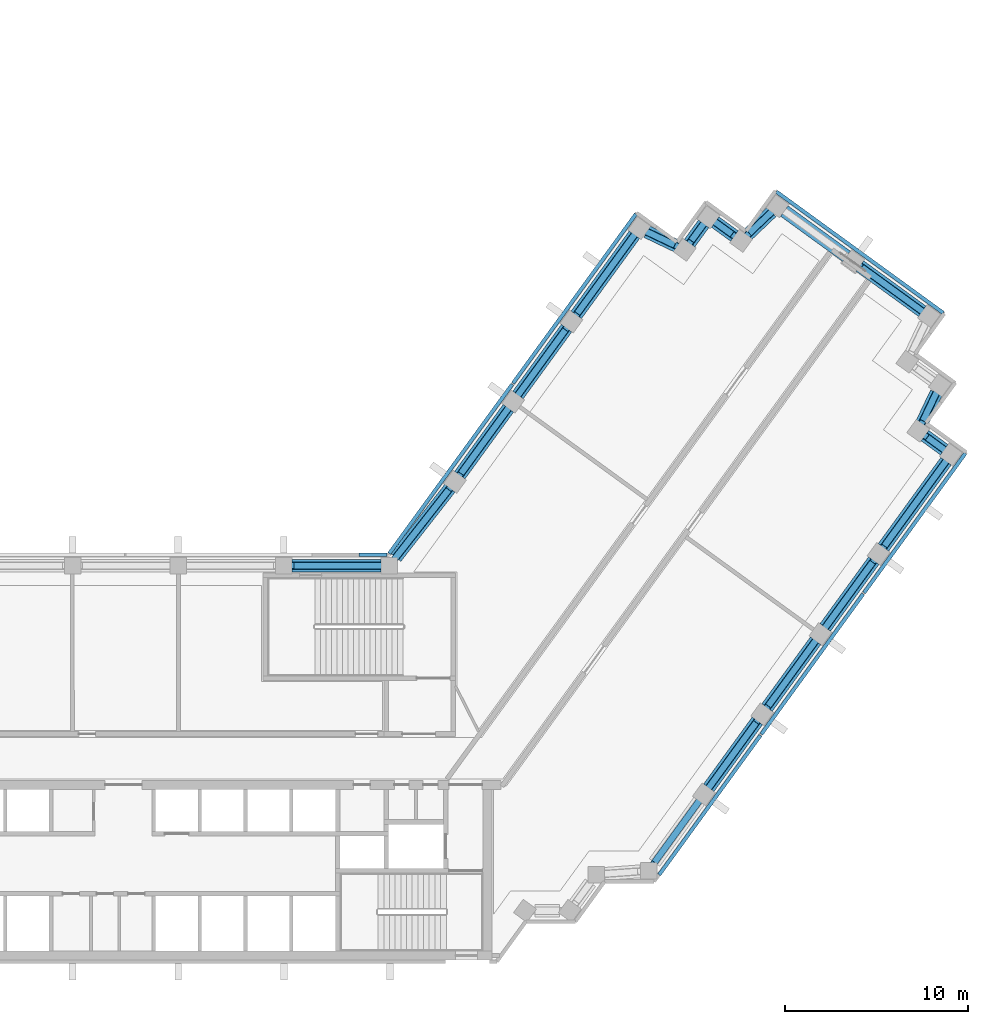
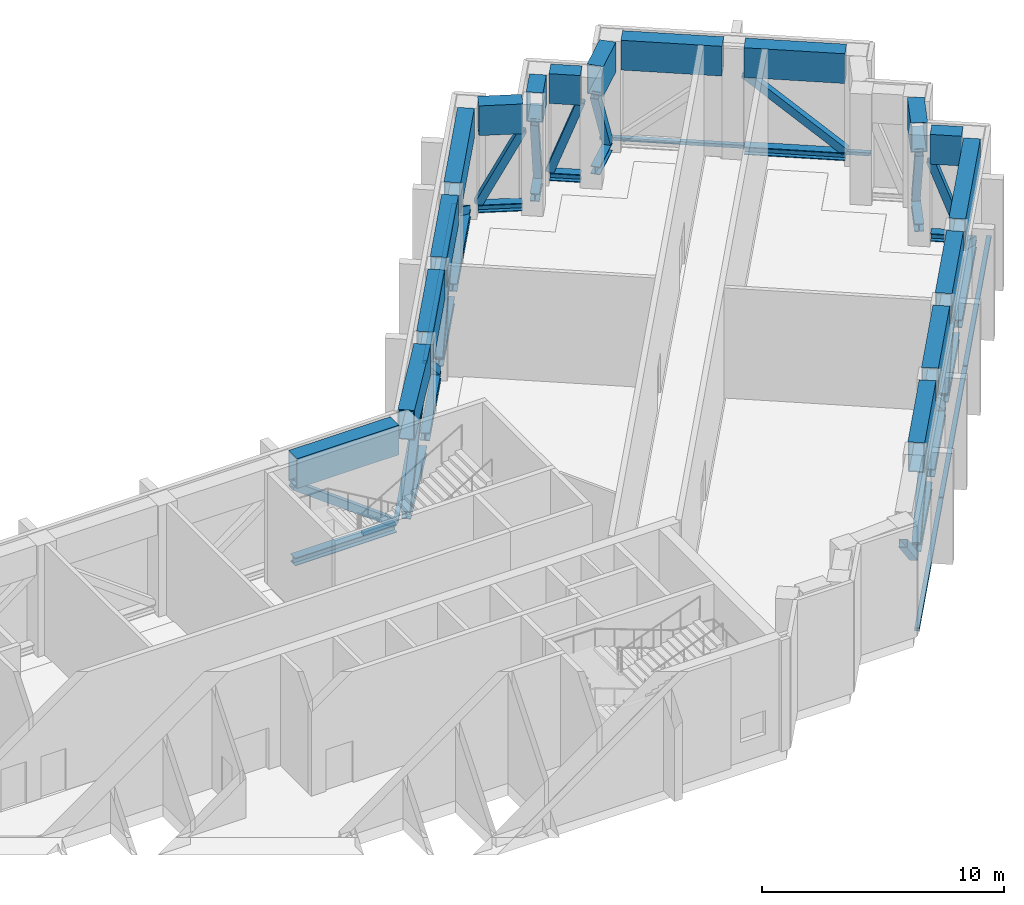
"""IFC4 building model written with IfcOpenShell, lengths in metres."""

from ifc_helpers import new_model, si_unit, direction, frame, origin, origin_2d, place, context, subcontext, project, spatial, rectangle, hollow_rectangle, i_section, extrude, material, material_profile, profile_set, type_object, element, aggregate, save


model = new_model("IFC4")

# Units and contexts
model_context = context("Model", 3, precision=1e-05, world=origin(), true_north=direction((0.0, 1.0)))
body_context = subcontext(model_context, "Body", "Model", "MODEL_VIEW")
ifc_project = project(units=[si_unit("LENGTHUNIT", "METRE"), si_unit("AREAUNIT", "SQUARE_METRE"), si_unit("VOLUMEUNIT", "CUBIC_METRE"), si_unit("PLANEANGLEUNIT", "RADIAN"), si_unit("MASSUNIT", "GRAM", prefix="KILO")], contexts=[model_context])

# Site, building, storey
site_placement = place(None, origin())
site = spatial("IfcSite", under=ifc_project, at=site_placement, CompositionType="ELEMENT")
building_placement = place(site_placement, origin())
building = spatial("IfcBuilding", under=site, at=building_placement, Name="Quipu Civic Tower", CompositionType="ELEMENT")
storey_1_placement = place(building_placement, frame((0.0, 0.0, 133.0)))
storey_1 = spatial("IfcBuildingStorey", under=building, at=storey_1_placement, Name="L31", CompositionType="ELEMENT", Elevation=133.0)

# Beams
ifc_material_1 = material(Name="Steel ASTM A992 Grade 50 (fy 345 MPa)", Category="steel")
ifc_material_profile_1 = material_profile(ifc_material_1, i_section(OverallWidth=0.39892578125, OverallDepth=0.393310546875, WebThickness=0.022705078125, FlangeThickness=0.03662109375, at=origin_2d()), Name="W360x287")
ifc_profile_set_1 = profile_set([ifc_material_profile_1], Name="Steel ASTM A992 Grade 50 (fy 345 MPa)")
beam_type_1 = type_object("IfcBeamType", Name="Belt truss bottom chord W360x287", PredefinedType="BEAM", material=ifc_profile_set_1)
beam_1_placement = place(storey_1_placement, frame((31.812744140625, -1.604736328125, 0.296630859375), z_axis=(0.587778073121, 0.809022210299, 0.0), x_axis=(-0.809022210299, 0.587778073121, 0.0)))
element("IfcBeam", 1, at=beam_1_placement, inside=storey_1, type_object=beam_type_1, Name="Truss bottom chord L31 E-OUT-01 to E-OUT-02", PredefinedType="BEAM", context=body_context, shape_type="SweptSolid", body=[
    extrude(i_section(OverallWidth=0.39892578125, OverallDepth=0.393310546875, WebThickness=0.022705078125, FlangeThickness=0.03662109375, at=origin_2d()), origin(), (0.0, 0.0, 1.0), 4.5),
])
beam_2_placement = place(storey_1_placement, frame((34.98681640625, 2.76416015625, 0.296630859375), z_axis=(0.587803872688, 0.809003465539, 0.0), x_axis=(-0.809003465539, 0.587803872688, 0.0)))
element("IfcBeam", 2, at=beam_2_placement, inside=storey_1, type_object=beam_type_1, Name="Truss bottom chord L31 E-OUT-02 to E-OUT-03", PredefinedType="BEAM", context=body_context, shape_type="SweptSolid", body=[
    extrude(i_section(OverallWidth=0.39892578125, OverallDepth=0.393310546875, WebThickness=0.022705078125, FlangeThickness=0.03662109375, at=origin_2d()), origin(), (0.0, 0.0, 1.0), 4.499755859375),
])
beam_3_placement = place(storey_1_placement, frame((38.160888671875, 7.1328125, 0.296630859375), z_axis=(0.587778073121, 0.809022210299, 0.0), x_axis=(-0.809022210299, 0.587778073121, 0.0)))
element("IfcBeam", 3, at=beam_3_placement, inside=storey_1, type_object=beam_type_1, Name="Truss bottom chord L31 E-OUT-03 to E-OUT-04", PredefinedType="BEAM", context=body_context, shape_type="SweptSolid", body=[
    extrude(i_section(OverallWidth=0.39892578125, OverallDepth=0.393310546875, WebThickness=0.022705078125, FlangeThickness=0.03662109375, at=origin_2d()), origin(), (0.0, 0.0, 1.0), 4.5),
])
beam_4_placement = place(storey_1_placement, frame((41.3349609375, 11.50146484375, 0.296630859375), z_axis=(0.587766353983, 0.809030724463, 0.0), x_axis=(-0.809030724463, 0.587766353983, 0.0)))
element("IfcBeam", 4, at=beam_4_placement, inside=storey_1, type_object=beam_type_1, Name="Truss bottom chord L31 E-OUT-04 to T-Eo.0-E34", PredefinedType="BEAM", context=body_context, shape_type="SweptSolid", body=[
    extrude(i_section(OverallWidth=0.39892578125, OverallDepth=0.393310546875, WebThickness=0.022705078125, FlangeThickness=0.03662109375, at=origin_2d()), origin(), (0.0, 0.0, 1.0), 5.802734375),
])
beam_5_placement = place(storey_1_placement, frame((44.646240234375, 16.82470703125, 0.296630859375), z_axis=(-0.808524921146, 0.588461937499, 0.0), x_axis=(-0.588461937499, -0.808524921146, 0.0)))
element("IfcBeam", 5, at=beam_5_placement, inside=storey_1, type_object=beam_type_1, Name="Truss bottom chord L31 T-Eo.0-E34 to T-Eo.1-E34", PredefinedType="BEAM", context=body_context, shape_type="SweptSolid", body=[
    extrude(i_section(OverallWidth=0.39892578125, OverallDepth=0.393310546875, WebThickness=0.022705078125, FlangeThickness=0.03662109375, at=origin_2d()), origin(), (0.0, 0.0, 1.0), 1.30029296875),
])
beam_6_placement = place(storey_1_placement, frame((43.42822265625, 18.267578125, 0.296630859375), z_axis=(0.430677818234, 0.902505743406, 0.0), x_axis=(-0.902505743406, 0.430677818234, 0.0)))
element("IfcBeam", 6, at=beam_6_placement, inside=storey_1, type_object=beam_type_1, Name="Truss bottom chord L31 T-Eo.1-E34 to T-Eo.2-E34", PredefinedType="BEAM", context=body_context, shape_type="SweptSolid", body=[
    extrude(i_section(OverallWidth=0.39892578125, OverallDepth=0.393310546875, WebThickness=0.022705078125, FlangeThickness=0.03662109375, at=origin_2d()), origin(), (0.0, 0.0, 1.0), 1.833251953125),
])
beam_7_placement = place(storey_1_placement, frame((43.450927734375, 24.36962890625, 0.296630859375), z_axis=(-0.808987489375, 0.587825860298, 0.0), x_axis=(-0.587825860298, -0.808987489375, 0.0)))
element("IfcBeam", 7, at=beam_7_placement, inside=storey_1, type_object=beam_type_1, Name="Truss bottom chord L31 T-Eo.4-E34 to TIP-E-01-E34", PredefinedType="BEAM", context=body_context, shape_type="SweptSolid", body=[
    extrude(i_section(OverallWidth=0.39892578125, OverallDepth=0.393310546875, WebThickness=0.022705078125, FlangeThickness=0.03662109375, at=origin_2d()), origin(), (0.0, 0.0, 1.0), 4.1982421875),
])
beam_8_placement = place(storey_1_placement, frame((35.233154296875, 29.784912109375, 0.296630859375), z_axis=(-0.725209203815, -0.688528583795, 0.0), x_axis=(0.688528583795, -0.725209203815, 0.0)))
element("IfcBeam", 8, at=beam_8_placement, inside=storey_1, type_object=beam_type_1, Name="Truss bottom chord L31 T-Ei.0-E34 to T-Ei.1-E34", PredefinedType="BEAM", context=body_context, shape_type="SweptSolid", body=[
    extrude(i_section(OverallWidth=0.39892578125, OverallDepth=0.393310546875, WebThickness=0.022705078125, FlangeThickness=0.03662109375, at=origin_2d()), origin(), (0.0, 0.0, 1.0), 1.830322265625),
])
beam_9_placement = place(storey_1_placement, frame((33.209716796875, 28.4736328125, 0.296630859375), z_axis=(-0.809402563526, 0.587254195521, 0.0), x_axis=(-0.587254195521, -0.809402563526, 0.0)))
element("IfcBeam", 9, at=beam_9_placement, inside=storey_1, type_object=beam_type_1, Name="Truss bottom chord L31 T-Ei.1-E34 to T-Ei.2-E34", PredefinedType="BEAM", context=body_context, shape_type="SweptSolid", body=[
    extrude(i_section(OverallWidth=0.39892578125, OverallDepth=0.393310546875, WebThickness=0.022705078125, FlangeThickness=0.03662109375, at=origin_2d()), origin(), (0.0, 0.0, 1.0), 1.2978515625),
])
beam_10_placement = place(storey_1_placement, frame((31.52978515625, 29.136474609375, 0.296630859375), z_axis=(-0.589187485143, -0.80799635355, 0.0), x_axis=(0.80799635355, -0.589187485143, 0.0)))
element("IfcBeam", 10, at=beam_10_placement, inside=storey_1, type_object=beam_type_1, Name="Truss bottom chord L31 T-Ei.2-E34 to T-Ei.3-E34", PredefinedType="BEAM", context=body_context, shape_type="SweptSolid", body=[
    extrude(i_section(OverallWidth=0.39892578125, OverallDepth=0.393310546875, WebThickness=0.022705078125, FlangeThickness=0.03662109375, at=origin_2d()), origin(), (0.0, 0.0, 1.0), 1.2998046875),
])
beam_11_placement = place(storey_1_placement, frame((30.085693359375, 27.919677734375, 0.296630859375), z_axis=(-0.902567013751, 0.430549399823, 0.0), x_axis=(-0.430549399823, -0.902567013751, 0.0)))
element("IfcBeam", 11, at=beam_11_placement, inside=storey_1, type_object=beam_type_1, Name="Truss bottom chord L31 T-Ei.3-E34 to T-Ei.4-E34", PredefinedType="BEAM", context=body_context, shape_type="SweptSolid", body=[
    extrude(i_section(OverallWidth=0.39892578125, OverallDepth=0.393310546875, WebThickness=0.022705078125, FlangeThickness=0.03662109375, at=origin_2d()), origin(), (0.0, 0.0, 1.0), 1.8310546875),
])
beam_12_placement = place(storey_1_placement, frame((27.755615234375, 28.541015625, 0.296630859375), z_axis=(-0.58767640123, -0.809096068114, 0.0), x_axis=(0.809096068114, -0.58767640123, 0.0)))
element("IfcBeam", 12, at=beam_12_placement, inside=storey_1, type_object=beam_type_1, Name="Truss bottom chord L31 T-Ei.4-E34 to E-IN-03", PredefinedType="BEAM", context=body_context, shape_type="SweptSolid", body=[
    extrude(i_section(OverallWidth=0.39892578125, OverallDepth=0.393310546875, WebThickness=0.022705078125, FlangeThickness=0.03662109375, at=origin_2d()), origin(), (0.0, 0.0, 1.0), 5.39404296875),
])
for number, where, z_axis, x_axis, name in (
    (13, (24.056884765625, 23.448486328125, 0.296630859375), (-0.587778073121, -0.809022210299, 0.0), (0.809022210299, -0.587778073121, 0.0), "Truss bottom chord L31 E-IN-03 to E-IN-02"),
    (14, (20.8828125, 19.079833984375, 0.296630859375), (-0.587716763865, -0.809066749701, 0.0), (0.809066749701, -0.587716763865, 0.0), "Truss bottom chord L31 E-IN-02 to E-IN-01"),
):
    element("IfcBeam", number, at=place(storey_1_placement, frame(where, z_axis=z_axis, x_axis=x_axis)), inside=storey_1, type_object=beam_type_1, Name=name, PredefinedType="BEAM", context=body_context, shape_type="SweptSolid", body=[
        extrude(i_section(OverallWidth=0.39892578125, OverallDepth=0.393310546875, WebThickness=0.022705078125, FlangeThickness=0.03662109375, at=origin_2d()), origin(), (0.0, 0.0, 1.0), 4.5),
    ])
beam_13_placement = place(storey_1_placement, frame((17.6962890625, 14.72021484375, 0.296630859375), z_axis=(-0.616123961998, -0.787649200756, 0.0), x_axis=(0.787649200756, -0.616123961998, 0.0)))
element("IfcBeam", 15, at=beam_13_placement, inside=storey_1, type_object=beam_type_1, Name="Truss bottom chord L31 E-IN-01 to J-Ei.0", PredefinedType="BEAM", context=body_context, shape_type="SweptSolid", body=[
    extrude(i_section(OverallWidth=0.39892578125, OverallDepth=0.393310546875, WebThickness=0.022705078125, FlangeThickness=0.03662109375, at=origin_2d()), origin(), (0.0, 0.0, 1.0), 4.78662109375),
])
beam_14_placement = place(storey_1_placement, frame((13.9453125, 10.5, 0.296630859375), z_axis=(-1.0, 0.0, 0.0), x_axis=(0.0, -1.0, 0.0)))
element("IfcBeam", 16, at=beam_14_placement, inside=storey_1, type_object=beam_type_1, Name="Truss bottom chord L31 J-Ei.0 to FRONT-01", PredefinedType="BEAM", context=body_context, shape_type="SweptSolid", body=[
    extrude(i_section(OverallWidth=0.39892578125, OverallDepth=0.393310546875, WebThickness=0.022705078125, FlangeThickness=0.03662109375, at=origin_2d()), origin(), (0.0, 0.0, 1.0), 4.858154296875),
])

# Members
ifc_material_2 = material(Name="Steel ASTM A500 Grade C (fy 345 MPa)", Category="steel")
ifc_material_profile_2 = material_profile(ifc_material_2, hollow_rectangle(XDim=0.355712890625, YDim=0.355712890625, WallThickness=0.015869140625, at=origin_2d()), Name="HSS356x356x16")
ifc_profile_set_2 = profile_set([ifc_material_profile_2], Name="Steel ASTM A500 Grade C (fy 345 MPa)")
member_type_1 = type_object("IfcMemberType", Name="Belt truss diagonal HSS356x356x16", PredefinedType="BRACE", material=ifc_profile_set_2)
member_1_placement = place(storey_1_placement, frame((28.78955078125, -5.765869140625, 4.10009765625), z_axis=(0.447838676212, 0.616435734621, -0.647647670551), x_axis=(-0.809034531764, 0.58776111339, 0.0)))
element("IfcMember", 17, at=member_1_placement, inside=storey_1, type_object=member_type_1, Name="Truss diagonal L31 J-Eo.4 to E-OUT-01", PredefinedType="BRACE", context=body_context, shape_type="SweptSolid", body=[
    extrude(hollow_rectangle(XDim=0.355712890625, YDim=0.355712890625, WallThickness=0.015869140625, at=origin_2d()), origin(), (0.0, 0.0, 1.0), 5.5693359375),
])
for number, where, z_axis, x_axis, name in (
    (18, (31.812744140625, -1.604736328125, 0.4931640625), (0.458633884018, 0.631267166188, 0.625425235599), (-0.809022210299, 0.587778073121, 0.0), "Truss diagonal L31 E-OUT-01 to E-OUT-02"),
    (19, (34.98681640625, 2.76416015625, 4.10009765625), (0.458646140321, 0.631241701895, -0.625441949151), (-0.809003465539, 0.587803872688, 0.0), "Truss diagonal L31 E-OUT-02 to E-OUT-03"),
    (20, (38.160888671875, 7.1328125, 0.4931640625), (0.458633884018, 0.631267166188, 0.625425235599), (-0.809022210299, 0.587778073121, 0.0), "Truss diagonal L31 E-OUT-03 to E-OUT-04"),
):
    element("IfcMember", number, at=place(storey_1_placement, frame(where, z_axis=z_axis, x_axis=x_axis)), inside=storey_1, type_object=member_type_1, Name=name, PredefinedType="BRACE", context=body_context, shape_type="SweptSolid", body=[
        extrude(hollow_rectangle(XDim=0.355712890625, YDim=0.355712890625, WallThickness=0.015869140625, at=origin_2d()), origin(), (0.0, 0.0, 1.0), 5.76708984375),
    ])
member_2_placement = place(storey_1_placement, frame((41.3349609375, 11.50146484375, 4.10009765625), z_axis=(0.499187650513, 0.687106609286, -0.52791684672), x_axis=(-0.809030724463, 0.587766353983, 0.0)))
element("IfcMember", 21, at=member_2_placement, inside=storey_1, type_object=member_type_1, Name="Truss diagonal L31 E-OUT-04 to T-Eo.0-E34", PredefinedType="BRACE", context=body_context, shape_type="SweptSolid", body=[
    extrude(hollow_rectangle(XDim=0.355712890625, YDim=0.355712890625, WallThickness=0.015869140625, at=origin_2d()), origin(), (0.0, 0.0, 1.0), 6.832275390625),
])
member_3_placement = place(storey_1_placement, frame((44.646240234375, 16.82470703125, 0.4931640625), z_axis=(-0.274187065853, 0.199559281092, 0.940743081957), x_axis=(-0.588461937499, -0.808524921146, 0.0)))
element("IfcMember", 22, at=member_3_placement, inside=storey_1, type_object=member_type_1, Name="Truss diagonal L31 T-Eo.0-E34 to T-Eo.1-E34", PredefinedType="BRACE", context=body_context, shape_type="SweptSolid", body=[
    extrude(hollow_rectangle(XDim=0.355712890625, YDim=0.355712890625, WallThickness=0.015869140625, at=origin_2d()), origin(), (0.0, 0.0, 1.0), 3.834228515625),
])
member_4_placement = place(storey_1_placement, frame((43.4248046875, 18.2607421875, 4.10009765625), z_axis=(0.196491189771, 0.41159543216, -0.889932813513), x_axis=(-0.902440195661, 0.430815149751, 0.0)))
element("IfcMember", 23, at=member_4_placement, inside=storey_1, type_object=member_type_1, Name="Truss diagonal L31 T-Eo.1-E34 to T-Eo.2-E34", PredefinedType="BRACE", context=body_context, shape_type="SweptSolid", body=[
    extrude(hollow_rectangle(XDim=0.355712890625, YDim=0.355712890625, WallThickness=0.015869140625, at=origin_2d()), origin(), (0.0, 0.0, 1.0), 4.052978515625),
])
member_5_placement = place(storey_1_placement, frame((43.450927734375, 24.36962890625, 0.4931640625), z_axis=(-0.613612581955, 0.445862697031, 0.651679410955), x_axis=(-0.587825860298, -0.808987489375, 0.0)))
element("IfcMember", 24, at=member_5_placement, inside=storey_1, type_object=member_type_1, Name="Truss diagonal L31 T-Eo.4-E34 to TIP-E-01-E34", PredefinedType="BRACE", context=body_context, shape_type="SweptSolid", body=[
    extrude(hollow_rectangle(XDim=0.355712890625, YDim=0.355712890625, WallThickness=0.015869140625, at=origin_2d()), origin(), (0.0, 0.0, 1.0), 5.534912109375),
])
member_6_placement = place(storey_1_placement, frame((35.23876953125, 29.7900390625, 0.4931640625), z_axis=(-0.330327629886, -0.31363650375, 0.890233565111), x_axis=(0.688547790633, -0.725190967963, 0.0)))
element("IfcMember", 25, at=member_6_placement, inside=storey_1, type_object=member_type_1, Name="Truss diagonal L31 T-Ei.0-E34 to T-Ei.1-E34", PredefinedType="BRACE", context=body_context, shape_type="SweptSolid", body=[
    extrude(hollow_rectangle(XDim=0.355712890625, YDim=0.355712890625, WallThickness=0.015869140625, at=origin_2d()), origin(), (0.0, 0.0, 1.0), 4.0517578125),
])
member_7_placement = place(storey_1_placement, frame((33.209716796875, 28.4736328125, 4.10009765625), z_axis=(-0.274052102613, 0.19883585042, -0.940935571461), x_axis=(-0.587254195521, -0.809402563526, 0.0)))
element("IfcMember", 26, at=member_7_placement, inside=storey_1, type_object=member_type_1, Name="Truss diagonal L31 T-Ei.1-E34 to T-Ei.2-E34", PredefinedType="BRACE", context=body_context, shape_type="SweptSolid", body=[
    extrude(hollow_rectangle(XDim=0.355712890625, YDim=0.355712890625, WallThickness=0.015869140625, at=origin_2d()), origin(), (0.0, 0.0, 1.0), 3.833251953125),
])
member_8_placement = place(storey_1_placement, frame((31.52978515625, 29.136474609375, 0.4931640625), z_axis=(-0.199756633087, -0.273941037788, 0.940772871289), x_axis=(0.80799635355, -0.589187485143, 0.0)))
element("IfcMember", 27, at=member_8_placement, inside=storey_1, type_object=member_type_1, Name="Truss diagonal L31 T-Ei.2-E34 to T-Ei.3-E34", PredefinedType="BRACE", context=body_context, shape_type="SweptSolid", body=[
    extrude(hollow_rectangle(XDim=0.355712890625, YDim=0.355712890625, WallThickness=0.015869140625, at=origin_2d()), origin(), (0.0, 0.0, 1.0), 3.833984375),
])
member_9_placement = place(storey_1_placement, frame((30.092529296875, 27.91650390625, 4.10009765625), z_axis=(-0.411229108641, 0.196124651813, -0.89018298184), x_axis=(-0.430472524882, -0.902603681203, 0.0)))
element("IfcMember", 28, at=member_9_placement, inside=storey_1, type_object=member_type_1, Name="Truss diagonal L31 T-Ei.3-E34 to T-Ei.4-E34", PredefinedType="BRACE", context=body_context, shape_type="SweptSolid", body=[
    extrude(hollow_rectangle(XDim=0.355712890625, YDim=0.355712890625, WallThickness=0.015869140625, at=origin_2d()), origin(), (0.0, 0.0, 1.0), 4.052001953125),
])
member_10_placement = place(storey_1_placement, frame((27.755615234375, 28.541015625, 0.4931640625), z_axis=(-0.488518595141, -0.672578435516, 0.555866737879), x_axis=(0.809096068114, -0.58767640123, 0.0)))
element("IfcMember", 29, at=member_10_placement, inside=storey_1, type_object=member_type_1, Name="Truss diagonal L31 T-Ei.4-E34 to E-IN-03", PredefinedType="BRACE", context=body_context, shape_type="SweptSolid", body=[
    extrude(hollow_rectangle(XDim=0.355712890625, YDim=0.355712890625, WallThickness=0.015869140625, at=origin_2d()), origin(), (0.0, 0.0, 1.0), 6.48876953125),
])
member_11_placement = place(storey_1_placement, frame((24.056884765625, 23.448486328125, 4.10009765625), z_axis=(-0.458633884018, -0.631267166188, -0.625425235599), x_axis=(0.809022210299, -0.587778073121, 0.0)))
element("IfcMember", 30, at=member_11_placement, inside=storey_1, type_object=member_type_1, Name="Truss diagonal L31 E-IN-03 to E-IN-02", PredefinedType="BRACE", context=body_context, shape_type="SweptSolid", body=[
    extrude(hollow_rectangle(XDim=0.355712890625, YDim=0.355712890625, WallThickness=0.015869140625, at=origin_2d()), origin(), (0.0, 0.0, 1.0), 5.76708984375),
])
member_12_placement = place(storey_1_placement, frame((20.8828125, 19.079833984375, 0.4931640625), z_axis=(-0.45858819899, -0.631304884292, 0.625420663886), x_axis=(0.809066749701, -0.587716763865, 0.0)))
element("IfcMember", 31, at=member_12_placement, inside=storey_1, type_object=member_type_1, Name="Truss diagonal L31 E-IN-02 to E-IN-01", PredefinedType="BRACE", context=body_context, shape_type="SweptSolid", body=[
    extrude(hollow_rectangle(XDim=0.355712890625, YDim=0.355712890625, WallThickness=0.015869140625, at=origin_2d()), origin(), (0.0, 0.0, 1.0), 5.767333984375),
])
member_13_placement = place(storey_1_placement, frame((17.6962890625, 14.720458984375, 4.10009765625), z_axis=(-0.496461259627, -0.634705639124, -0.592178156768), x_axis=(0.787664522221, -0.616104374627, 0.0)))
element("IfcMember", 32, at=member_13_placement, inside=storey_1, type_object=member_type_1, Name="Truss diagonal L31 E-IN-01 to J-Ei.0", PredefinedType="BRACE", context=body_context, shape_type="SweptSolid", body=[
    extrude(hollow_rectangle(XDim=0.355712890625, YDim=0.355712890625, WallThickness=0.015869140625, at=origin_2d()), origin(), (0.0, 0.0, 1.0), 6.091064453125),
])
member_14_placement = place(storey_1_placement, frame((13.9453125, 10.5, 0.4931640625), z_axis=(-0.802900545877, 0.0, 0.596113003909), x_axis=(0.0, -1.0, 0.0)))
element("IfcMember", 33, at=member_14_placement, inside=storey_1, type_object=member_type_1, Name="Truss diagonal L31 J-Ei.0 to FRONT-01", PredefinedType="BRACE", context=body_context, shape_type="SweptSolid", body=[
    extrude(hollow_rectangle(XDim=0.355712890625, YDim=0.355712890625, WallThickness=0.015869140625, at=origin_2d()), origin(), (0.0, 0.0, 1.0), 6.05078125),
])

# Beams
ifc_material_3 = material(Name="Steel ASTM A572 Grade 50 (fy 345 MPa)", Category="steel")
ifc_material_profile_3 = material_profile(ifc_material_3, hollow_rectangle(XDim=0.699951171875, YDim=1.5, WallThickness=0.050048828125, at=origin_2d()), Name="BX1500x700x50")
ifc_profile_set_3 = profile_set([ifc_material_profile_3], Name="Steel ASTM A572 Grade 50 (fy 345 MPa)")
beam_type_2 = type_object("IfcBeamType", Name="Belt truss top chord BX1500x700x50", PredefinedType="BEAM", material=ifc_profile_set_3)
beam_15_placement = place(storey_1_placement, frame((31.812744140625, -1.604736328125, 4.85009765625), z_axis=(0.587778073121, 0.809022210299, 0.0), x_axis=(-0.809022210299, 0.587778073121, 0.0)))
element("IfcBeam", 34, at=beam_15_placement, inside=storey_1, type_object=beam_type_2, Name="Truss top chord L31 E-OUT-01 to E-OUT-02", PredefinedType="BEAM", context=body_context, shape_type="SweptSolid", body=[
    extrude(hollow_rectangle(XDim=0.699951171875, YDim=1.5, WallThickness=0.050048828125, at=origin_2d()), origin(), (0.0, 0.0, 1.0), 4.5),
])
beam_16_placement = place(storey_1_placement, frame((34.98681640625, 2.76416015625, 4.85009765625), z_axis=(0.587803872688, 0.809003465539, 0.0), x_axis=(-0.809003465539, 0.587803872688, 0.0)))
element("IfcBeam", 35, at=beam_16_placement, inside=storey_1, type_object=beam_type_2, Name="Truss top chord L31 E-OUT-02 to E-OUT-03", PredefinedType="BEAM", context=body_context, shape_type="SweptSolid", body=[
    extrude(hollow_rectangle(XDim=0.699951171875, YDim=1.5, WallThickness=0.050048828125, at=origin_2d()), origin(), (0.0, 0.0, 1.0), 4.499755859375),
])
beam_17_placement = place(storey_1_placement, frame((38.160888671875, 7.1328125, 4.85009765625), z_axis=(0.587778073121, 0.809022210299, 0.0), x_axis=(-0.809022210299, 0.587778073121, 0.0)))
element("IfcBeam", 36, at=beam_17_placement, inside=storey_1, type_object=beam_type_2, Name="Truss top chord L31 E-OUT-03 to E-OUT-04", PredefinedType="BEAM", context=body_context, shape_type="SweptSolid", body=[
    extrude(hollow_rectangle(XDim=0.699951171875, YDim=1.5, WallThickness=0.050048828125, at=origin_2d()), origin(), (0.0, 0.0, 1.0), 4.5),
])
beam_18_placement = place(storey_1_placement, frame((41.3349609375, 11.50146484375, 4.85009765625), z_axis=(0.587766353983, 0.809030724463, 0.0), x_axis=(-0.809030724463, 0.587766353983, 0.0)))
element("IfcBeam", 37, at=beam_18_placement, inside=storey_1, type_object=beam_type_2, Name="Truss top chord L31 E-OUT-04 to T-Eo.0-E34", PredefinedType="BEAM", context=body_context, shape_type="SweptSolid", body=[
    extrude(hollow_rectangle(XDim=0.699951171875, YDim=1.5, WallThickness=0.050048828125, at=origin_2d()), origin(), (0.0, 0.0, 1.0), 5.802734375),
])
beam_19_placement = place(storey_1_placement, frame((44.646240234375, 16.82470703125, 4.85009765625), z_axis=(-0.808524921146, 0.588461937499, 0.0), x_axis=(-0.588461937499, -0.808524921146, 0.0)))
element("IfcBeam", 38, at=beam_19_placement, inside=storey_1, type_object=beam_type_2, Name="Truss top chord L31 T-Eo.0-E34 to T-Eo.1-E34", PredefinedType="BEAM", context=body_context, shape_type="SweptSolid", body=[
    extrude(hollow_rectangle(XDim=0.699951171875, YDim=1.5, WallThickness=0.050048828125, at=origin_2d()), origin(), (0.0, 0.0, 1.0), 1.30029296875),
])
beam_20_placement = place(storey_1_placement, frame((43.42822265625, 18.267578125, 4.85009765625), z_axis=(0.430677818234, 0.902505743406, 0.0), x_axis=(-0.902505743406, 0.430677818234, 0.0)))
element("IfcBeam", 39, at=beam_20_placement, inside=storey_1, type_object=beam_type_2, Name="Truss top chord L31 T-Eo.1-E34 to T-Eo.2-E34", PredefinedType="BEAM", context=body_context, shape_type="SweptSolid", body=[
    extrude(hollow_rectangle(XDim=0.699951171875, YDim=1.5, WallThickness=0.050048828125, at=origin_2d()), origin(), (0.0, 0.0, 1.0), 1.833251953125),
])
beam_21_placement = place(storey_1_placement, frame((43.450927734375, 24.36962890625, 4.85009765625), z_axis=(-0.808987489375, 0.587825860298, 0.0), x_axis=(-0.587825860298, -0.808987489375, 0.0)))
element("IfcBeam", 40, at=beam_21_placement, inside=storey_1, type_object=beam_type_2, Name="Truss top chord L31 T-Eo.4-E34 to TIP-E-01-E34", PredefinedType="BEAM", context=body_context, shape_type="SweptSolid", body=[
    extrude(hollow_rectangle(XDim=0.699951171875, YDim=1.5, WallThickness=0.050048828125, at=origin_2d()), origin(), (0.0, 0.0, 1.0), 4.1982421875),
])
beam_22_placement = place(storey_1_placement, frame((39.32666015625, 27.366455078125, 4.85009765625), z_axis=(-0.808969789945, 0.58785021813, 0.0), x_axis=(-0.58785021813, -0.808969789945, 0.0)))
element("IfcBeam", 41, at=beam_22_placement, inside=storey_1, type_object=beam_type_2, Name="Truss top chord L31 TIP-E-01-E34 to T-Ei.0-E34", PredefinedType="BEAM", context=body_context, shape_type="SweptSolid", body=[
    extrude(hollow_rectangle(XDim=0.699951171875, YDim=1.5, WallThickness=0.050048828125, at=origin_2d()), origin(), (0.0, 0.0, 1.0), 4.199951171875),
])
beam_23_placement = place(storey_1_placement, frame((35.233154296875, 29.784912109375, 4.85009765625), z_axis=(-0.725209203815, -0.688528583795, 0.0), x_axis=(0.688528583795, -0.725209203815, 0.0)))
element("IfcBeam", 42, at=beam_23_placement, inside=storey_1, type_object=beam_type_2, Name="Truss top chord L31 T-Ei.0-E34 to T-Ei.1-E34", PredefinedType="BEAM", context=body_context, shape_type="SweptSolid", body=[
    extrude(hollow_rectangle(XDim=0.699951171875, YDim=1.5, WallThickness=0.050048828125, at=origin_2d()), origin(), (0.0, 0.0, 1.0), 1.830322265625),
])
beam_24_placement = place(storey_1_placement, frame((33.209716796875, 28.4736328125, 4.85009765625), z_axis=(-0.809402563526, 0.587254195521, 0.0), x_axis=(-0.587254195521, -0.809402563526, 0.0)))
element("IfcBeam", 43, at=beam_24_placement, inside=storey_1, type_object=beam_type_2, Name="Truss top chord L31 T-Ei.1-E34 to T-Ei.2-E34", PredefinedType="BEAM", context=body_context, shape_type="SweptSolid", body=[
    extrude(hollow_rectangle(XDim=0.699951171875, YDim=1.5, WallThickness=0.050048828125, at=origin_2d()), origin(), (0.0, 0.0, 1.0), 1.2978515625),
])
beam_25_placement = place(storey_1_placement, frame((31.52978515625, 29.136474609375, 4.85009765625), z_axis=(-0.589187485143, -0.80799635355, 0.0), x_axis=(0.80799635355, -0.589187485143, 0.0)))
element("IfcBeam", 44, at=beam_25_placement, inside=storey_1, type_object=beam_type_2, Name="Truss top chord L31 T-Ei.2-E34 to T-Ei.3-E34", PredefinedType="BEAM", context=body_context, shape_type="SweptSolid", body=[
    extrude(hollow_rectangle(XDim=0.699951171875, YDim=1.5, WallThickness=0.050048828125, at=origin_2d()), origin(), (0.0, 0.0, 1.0), 1.2998046875),
])
beam_26_placement = place(storey_1_placement, frame((30.085693359375, 27.919677734375, 4.85009765625), z_axis=(-0.902567013751, 0.430549399823, 0.0), x_axis=(-0.430549399823, -0.902567013751, 0.0)))
element("IfcBeam", 45, at=beam_26_placement, inside=storey_1, type_object=beam_type_2, Name="Truss top chord L31 T-Ei.3-E34 to T-Ei.4-E34", PredefinedType="BEAM", context=body_context, shape_type="SweptSolid", body=[
    extrude(hollow_rectangle(XDim=0.699951171875, YDim=1.5, WallThickness=0.050048828125, at=origin_2d()), origin(), (0.0, 0.0, 1.0), 1.8310546875),
])
beam_27_placement = place(storey_1_placement, frame((27.755615234375, 28.541015625, 4.85009765625), z_axis=(-0.58767640123, -0.809096068114, 0.0), x_axis=(0.809096068114, -0.58767640123, 0.0)))
element("IfcBeam", 46, at=beam_27_placement, inside=storey_1, type_object=beam_type_2, Name="Truss top chord L31 T-Ei.4-E34 to E-IN-03", PredefinedType="BEAM", context=body_context, shape_type="SweptSolid", body=[
    extrude(hollow_rectangle(XDim=0.699951171875, YDim=1.5, WallThickness=0.050048828125, at=origin_2d()), origin(), (0.0, 0.0, 1.0), 5.39404296875),
])
for number, where, z_axis, x_axis, name in (
    (47, (24.056884765625, 23.448486328125, 4.85009765625), (-0.587778073121, -0.809022210299, 0.0), (0.809022210299, -0.587778073121, 0.0), "Truss top chord L31 E-IN-03 to E-IN-02"),
    (48, (20.8828125, 19.079833984375, 4.85009765625), (-0.587716763865, -0.809066749701, 0.0), (0.809066749701, -0.587716763865, 0.0), "Truss top chord L31 E-IN-02 to E-IN-01"),
):
    element("IfcBeam", number, at=place(storey_1_placement, frame(where, z_axis=z_axis, x_axis=x_axis)), inside=storey_1, type_object=beam_type_2, Name=name, PredefinedType="BEAM", context=body_context, shape_type="SweptSolid", body=[
        extrude(hollow_rectangle(XDim=0.699951171875, YDim=1.5, WallThickness=0.050048828125, at=origin_2d()), origin(), (0.0, 0.0, 1.0), 4.5),
    ])
beam_28_placement = place(storey_1_placement, frame((17.6962890625, 14.72021484375, 4.85009765625), z_axis=(-0.616123961998, -0.787649200756, 0.0), x_axis=(0.787649200756, -0.616123961998, 0.0)))
element("IfcBeam", 49, at=beam_28_placement, inside=storey_1, type_object=beam_type_2, Name="Truss top chord L31 E-IN-01 to J-Ei.0", PredefinedType="BEAM", context=body_context, shape_type="SweptSolid", body=[
    extrude(hollow_rectangle(XDim=0.699951171875, YDim=1.5, WallThickness=0.050048828125, at=origin_2d()), origin(), (0.0, 0.0, 1.0), 4.78662109375),
])
beam_29_placement = place(storey_1_placement, frame((13.9453125, 10.5, 4.85009765625), z_axis=(-1.0, 0.0, 0.0), x_axis=(0.0, -1.0, 0.0)))
element("IfcBeam", 50, at=beam_29_placement, inside=storey_1, type_object=beam_type_2, Name="Truss top chord L31 J-Ei.0 to FRONT-01", PredefinedType="BEAM", context=body_context, shape_type="SweptSolid", body=[
    extrude(hollow_rectangle(XDim=0.699951171875, YDim=1.5, WallThickness=0.050048828125, at=origin_2d()), origin(), (0.0, 0.0, 1.0), 4.858154296875),
])

# Storey
storey_2_placement = place(building_placement, frame((0.0, 0.0, 125.0)))
storey_2 = spatial("IfcBuildingStorey", under=building, at=storey_2_placement, Name="L29", CompositionType="ELEMENT", Elevation=125.0)

# Curtain wall, members
ifc_material_4 = material(Name="Insulated glass unit", Category="glass")
curtain_wall_type = type_object("IfcCurtainWallType", Name="Office curtain wall CW1", PredefinedType="NOTDEFINED", material=ifc_material_4)
curtain_wall_1_placement = place(storey_2_placement, origin())
curtain_wall_1 = element("IfcCurtainWall", 51, at=curtain_wall_1_placement, inside=storey_2, type_object=curtain_wall_type, Name="Office curtain wall CW1 L28 run 23", PredefinedType="NOTDEFINED")
ifc_material_5 = material(Name="Anodised aluminium", Category="aluminium")
ifc_material_profile_4 = material_profile(ifc_material_5, rectangle(XDim=0.199951171875, YDim=0.159912109375, at=origin_2d()), Name="RECT 200x160")
ifc_profile_set_4 = profile_set([ifc_material_profile_4], Name="Anodised aluminium")
member_type_2 = type_object("IfcMemberType", Name="Transom CW1", PredefinedType="USERDEFINED", material=ifc_profile_set_4)
member_15_placement = place(storey_1_placement, frame((29.10302734375, -6.35546875, 0.0), z_axis=(0.58777644589, 0.809023392528, 0.0), x_axis=(-0.809023392528, 0.58777644589, 0.0)))
member_15 = element("IfcMember", 52, at=member_15_placement, inside=storey_1, type_object=member_type_2, Name="CW1 transom 1.4", ObjectType="TRANSOM", PredefinedType="USERDEFINED", context=body_context, shape_type="SweptSolid", body=[
    extrude(rectangle(XDim=0.199951171875, YDim=0.159912109375, at=origin_2d()), origin(), (0.0, 0.0, 1.0), 9.40380859375),
])
member_16_placement = place(storey_1_placement, frame((34.67724609375, 1.317138671875, 0.0), z_axis=(0.587790407593, 0.809013248805, 0.0), x_axis=(-0.809013248805, 0.587790407593, 0.0)))
member_16 = element("IfcMember", 53, at=member_16_placement, inside=storey_1, type_object=member_type_2, Name="CW1 transom 2.4", ObjectType="TRANSOM", PredefinedType="USERDEFINED", context=body_context, shape_type="SweptSolid", body=[
    extrude(rectangle(XDim=0.199951171875, YDim=0.159912109375, at=origin_2d()), origin(), (0.0, 0.0, 1.0), 9.443359375),
])
member_17_placement = place(storey_1_placement, frame((40.275146484375, 9.02197265625, 0.0), z_axis=(0.58778879159, 0.809014422913, 0.0), x_axis=(-0.809014422913, 0.58778879159, 0.0)))
member_17 = element("IfcMember", 54, at=member_17_placement, inside=storey_1, type_object=member_type_2, Name="CW1 transom 3.4", ObjectType="TRANSOM", PredefinedType="USERDEFINED", context=body_context, shape_type="SweptSolid", body=[
    extrude(rectangle(XDim=0.199951171875, YDim=0.159912109375, at=origin_2d()), origin(), (0.0, 0.0, 1.0), 9.403564453125),
])
aggregate(curtain_wall_1, [member_15, member_16, member_17])

# Curtain wall, member
curtain_wall_2_placement = place(storey_2_placement, origin())
curtain_wall_2 = element("IfcCurtainWall", 55, at=curtain_wall_2_placement, inside=storey_2, type_object=curtain_wall_type, Name="Office curtain wall CW1 L28 run 25", PredefinedType="NOTDEFINED")
member_18_placement = place(storey_1_placement, frame((44.590087890625, 24.2841796875, 0.0), z_axis=(-0.809014959561, 0.587788052963, 0.0), x_axis=(-0.587788052963, -0.809014959561, 0.0)))
member_18 = element("IfcMember", 56, at=member_18_placement, inside=storey_1, type_object=member_type_2, Name="CW1 transom 1.4", ObjectType="TRANSOM", PredefinedType="USERDEFINED", context=body_context, shape_type="SweptSolid", body=[
    extrude(rectangle(XDim=0.199951171875, YDim=0.159912109375, at=origin_2d()), origin(), (0.0, 0.0, 1.0), 11.239990234375),
])
aggregate(curtain_wall_2, [member_18])

# Curtain wall, members
curtain_wall_3_placement = place(storey_2_placement, origin())
curtain_wall_3 = element("IfcCurtainWall", 57, at=curtain_wall_3_placement, inside=storey_2, type_object=curtain_wall_type, Name="Office curtain wall CW1 L28 run 30", PredefinedType="NOTDEFINED")
member_19_placement = place(storey_1_placement, frame((27.84228515625, 29.678466796875, 0.0), z_axis=(-0.587775682251, -0.809023947331, 0.0), x_axis=(0.809023947331, -0.587775682251, 0.0)))
member_19 = element("IfcMember", 58, at=member_19_placement, inside=storey_1, type_object=member_type_2, Name="CW1 transom 1.4", ObjectType="TRANSOM", PredefinedType="USERDEFINED", context=body_context, shape_type="SweptSolid", body=[
    extrude(rectangle(XDim=0.199951171875, YDim=0.159912109375, at=origin_2d()), origin(), (0.0, 0.0, 1.0), 11.402099609375),
])
member_20_placement = place(storey_1_placement, frame((21.09326171875, 20.38916015625, 0.0), z_axis=(-0.587799878401, -0.809006367683, 0.0), x_axis=(0.809006367683, -0.587799878401, 0.0)))
member_20 = element("IfcMember", 59, at=member_20_placement, inside=storey_1, type_object=member_type_2, Name="CW1 transom 2.4", ObjectType="TRANSOM", PredefinedType="USERDEFINED", context=body_context, shape_type="SweptSolid", body=[
    extrude(rectangle(XDim=0.199951171875, YDim=0.159912109375, at=origin_2d()), origin(), (0.0, 0.0, 1.0), 11.402099609375),
])
aggregate(curtain_wall_3, [member_19, member_20])

# Curtain wall, member
curtain_wall_4_placement = place(storey_2_placement, origin())
curtain_wall_4 = element("IfcCurtainWall", 60, at=curtain_wall_4_placement, inside=storey_2, type_object=curtain_wall_type, Name="Office curtain wall CW1 L28 run 31", PredefinedType="NOTDEFINED")
member_21_placement = place(storey_1_placement, frame((14.26416015625, 11.10009765625, 0.0), z_axis=(-1.0, 0.0, 0.0), x_axis=(0.0, -1.0, 0.0)))
member_21 = element("IfcMember", 61, at=member_21_placement, inside=storey_1, type_object=member_type_2, Name="CW1 transom 1.4", ObjectType="TRANSOM", PredefinedType="USERDEFINED", context=body_context, shape_type="SweptSolid", body=[
    extrude(rectangle(XDim=0.199951171875, YDim=0.159912109375, at=origin_2d()), origin(), (0.0, 0.0, 1.0), 1.529052734375),
])
aggregate(curtain_wall_4, [member_21])

save(model, "model.ifc")
